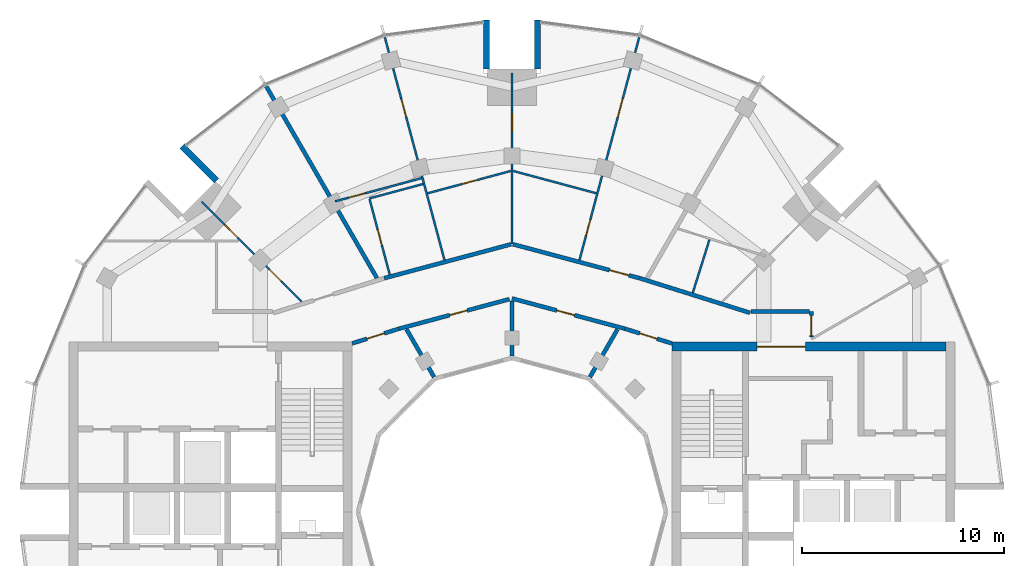
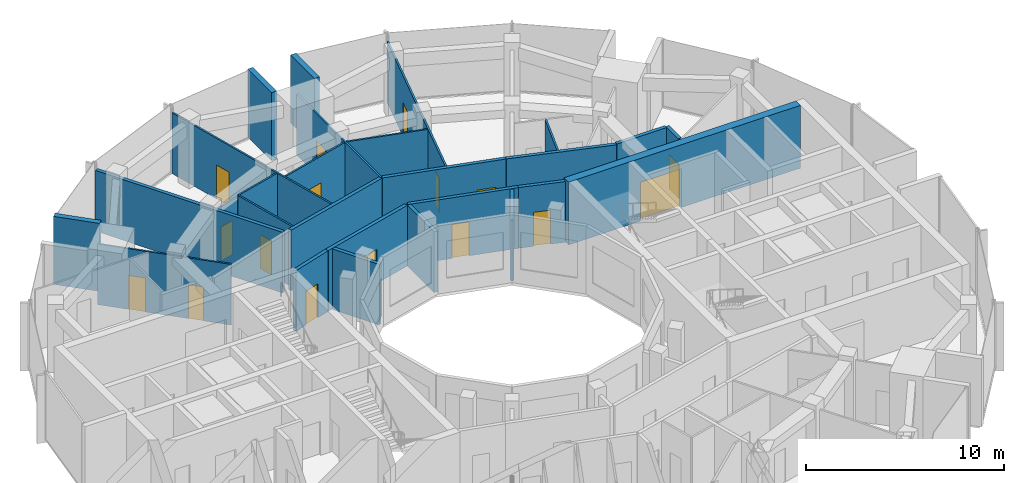
# One storey, part 12 of 15: 27 walls, 16 doors, 16 openings.
"""IFC4 building model written with IfcOpenShell, lengths in metres."""

import ifcopenshell
import ifcopenshell.guid

model = None  # the IFC model being written
_history = None  # IfcOwnerHistory: only IFC2X3 demands one
_inside = {}  # id of a spatial element -> (the spatial element, [elements in it])
_under = {}  # id of a project, library or spatial element -> (it, [spatial elements below it])
_declared = {}  # id of a project -> (the project, [libraries it declares])
_typed = {}  # id of a type object -> (the type object, [elements of that type])
_made_of = {}  # id of a material, layer set ... -> (it, [elements and type objects made of it])


def new_model(schema):
    """Start an empty IFC model of exactly this schema.

    Asked for "IFC4X3", IfcOpenShell would pick the latest addendum, in which some entities
    have other attributes; the version numbers below select the first issue.
    IFC2X3 requires an IfcOwnerHistory on every rooted entity: one is made here for all.
    """
    global model, _history
    if schema == "IFC4X3":
        model = ifcopenshell.file(schema_version=(4, 3, 0, 0))
    else:
        model = ifcopenshell.file(schema=schema)
    _inside.clear()
    _under.clear()
    _declared.clear()
    _typed.clear()
    _made_of.clear()
    _history = None
    if model.schema == "IFC2X3":
        org = make("IfcOrganization", Name="unknown")
        user = make(
            "IfcPersonAndOrganization",
            ThePerson=make("IfcPerson", FamilyName="unknown"),
            TheOrganization=org,
        )
        app = make(
            "IfcApplication",
            ApplicationDeveloper=org,
            Version="unknown",
            ApplicationFullName="unknown",
            ApplicationIdentifier="unknown",
        )
        _history = make(
            "IfcOwnerHistory",
            OwningUser=user,
            OwningApplication=app,
            ChangeAction="ADDED",
            CreationDate=0,
        )
    return model


def make(cls, **values):
    """One entity of the class cls with the attributes given. An attribute that is None is left unset."""
    return model.create_entity(
        cls, **{name: value for name, value in values.items() if value is not None}
    )


def rooted(cls, **values):
    """An entity with a GlobalId (a new one), such as an element, a storey or a relation."""
    return make(cls, GlobalId=ifcopenshell.guid.new(), OwnerHistory=_history, **values)


def si_unit(unit_type, name, prefix=None):
    """IfcSIUnit, for example si_unit("LENGTHUNIT", "METRE", prefix="MILLI")."""
    return make("IfcSIUnit", UnitType=unit_type, Prefix=prefix, Name=name)


def assignment(units):
    """IfcUnitAssignment: the units of a project."""
    return None if units is None else make("IfcUnitAssignment", Units=units)


def point(xyz):
    """IfcCartesianPoint."""
    return None if xyz is None else make("IfcCartesianPoint", Coordinates=xyz)


def direction(xyz):
    """IfcDirection."""
    return None if xyz is None else make("IfcDirection", DirectionRatios=xyz)


def frame(location, z_axis=None, x_axis=None):
    """IfcAxis2Placement3D, a coordinate frame: its origin and axes. An axis left out is left unset."""
    return make(
        "IfcAxis2Placement3D",
        Location=point(location),
        Axis=direction(z_axis),
        RefDirection=direction(x_axis),
    )


def frame_2d(location, x_axis=None):
    """IfcAxis2Placement2D, a coordinate frame in the plane: its origin and x axis."""
    return make(
        "IfcAxis2Placement2D", Location=point(location), RefDirection=direction(x_axis)
    )


def origin():
    """The frame at (0, 0, 0) with its axes left unset."""
    return frame((0.0, 0.0, 0.0))


def place(relative_to, where):
    """IfcLocalPlacement: puts the frame where relative to a parent placement (None: the world)."""
    return make(
        "IfcLocalPlacement", PlacementRelTo=relative_to, RelativePlacement=where
    )


def context(
    kind, dimensions, precision=None, world=None, true_north=None, identifier=None
):
    """IfcGeometricRepresentationContext, for example the 3D "Model" context."""
    return make(
        "IfcGeometricRepresentationContext",
        ContextIdentifier=identifier,
        ContextType=kind,
        CoordinateSpaceDimension=dimensions,
        Precision=precision,
        WorldCoordinateSystem=world,
        TrueNorth=true_north,
    )


def subcontext(parent, identifier, kind, view, scale=None):
    """IfcGeometricRepresentationSubContext, for example "Body" below "Model"."""
    return make(
        "IfcGeometricRepresentationSubContext",
        ContextIdentifier=identifier,
        ContextType=kind,
        ParentContext=parent,
        TargetScale=scale,
        TargetView=view,
    )


def project(units=None, contexts=None):
    """IfcProject with its units and contexts."""
    return rooted(
        "IfcProject",
        Name="project",
        RepresentationContexts=contexts,
        UnitsInContext=assignment(units),
    )


def spatial(cls, under=None, at=None, **own):
    """A site, building, storey or space (cls), placed at a placement, below another one or the project."""
    s = rooted(cls, ObjectPlacement=at, **own)
    if under is not None:
        _under.setdefault(under.id(), (under, []))[1].append(s)
    return s


def profile(cls, at=None, kind="AREA", **sizes):
    """A parametric profile (cls). Its sizes go by their IFC names, for example OverallWidth=200.0."""
    return make(cls, ProfileType=kind, Position=at, **sizes)


def rectangle(**sizes):
    """IfcRectangleProfileDef."""
    return profile("IfcRectangleProfileDef", **sizes)


def extrude(swept, where, along, depth):
    """IfcExtrudedAreaSolid: the profile swept, set in the frame where, extruded along a direction by depth."""
    return make(
        "IfcExtrudedAreaSolid",
        SweptArea=swept,
        Position=where,
        ExtrudedDirection=direction(along),
        Depth=depth,
    )


def shape(context_of_items, identifier, shape_type, items):
    """IfcShapeRepresentation: the items that make up one representation, for example the "Body"."""
    return make(
        "IfcShapeRepresentation",
        ContextOfItems=context_of_items,
        RepresentationIdentifier=identifier,
        RepresentationType=shape_type,
        Items=items,
    )


def material(Name=None, Category=None):
    """IfcMaterial."""
    return make("IfcMaterial", Name=Name, Category=Category)


def layer(
    of_material, thickness, ventilated=None, Name=None, Category=None, Priority=None
):
    """IfcMaterialLayer: one layer of a wall or slab, of a material (None: an air gap)."""
    return make(
        "IfcMaterialLayer",
        Material=of_material,
        LayerThickness=thickness,
        IsVentilated=ventilated,
        Name=Name,
        Category=Category,
        Priority=Priority,
    )


def layer_set(layers, Name=None):
    """IfcMaterialLayerSet."""
    return make("IfcMaterialLayerSet", MaterialLayers=layers, LayerSetName=Name)


def made_of(thing, what):
    """Note that an element or type object is made of a material, layer set ...; save() writes the relation."""
    if what is not None:
        _made_of.setdefault(what.id(), (what, []))[1].append(thing)
    return thing


def type_object(cls, material=None, **own):
    """A type object (cls), such as IfcWallType, which elements share."""
    return made_of(rooted(cls, **own), material)


def element(
    cls,
    number,
    at=None,
    inside=None,
    cuts=None,
    type_object=None,
    material=None,
    context=None,
    identifier="Body",
    shape_type=None,
    held_by="IfcProductDefinitionShape",
    body=None,
    shapes=None,
    **own,
):
    """One element of the class cls, such as IfcWall. Its Tag is "e" and its number.

    at: its placement. inside: the storey or other place that contains it. cuts: it is an
    opening in that element (IfcRelVoidsElement). A single representation is given by context,
    identifier, shape_type and body (its items); several are given by shapes. held_by: the class
    of the entity that holds the representations. save() writes the other relations.
    """
    e = rooted(cls, Tag="e%d" % number, ObjectPlacement=at, **own)
    if body is not None:
        shapes = [shape(context, identifier, shape_type, body)]
    if shapes is not None:
        e.Representation = make(held_by, Representations=shapes)
    if inside is not None:
        _inside.setdefault(inside.id(), (inside, []))[1].append(e)
    if cuts is not None:
        rooted(
            "IfcRelVoidsElement", RelatingBuildingElement=cuts, RelatedOpeningElement=e
        )
    if type_object is not None:
        _typed.setdefault(type_object.id(), (type_object, []))[1].append(e)
    return made_of(e, material)


def fill(opening, filler):
    """IfcRelFillsElement: the door or window that sits in an opening."""
    return rooted(
        "IfcRelFillsElement",
        RelatingOpeningElement=opening,
        RelatedBuildingElement=filler,
    )


def aggregate(whole, parts):
    """IfcRelAggregates: a whole, such as a stair, and the parts it consists of."""
    return rooted("IfcRelAggregates", RelatingObject=whole, RelatedObjects=parts)


def save(model, path):
    """Write the relations noted so far, then the file.

    IfcRelAggregates (storeys below a building ...), IfcRelContainedInSpatialStructure (elements
    in a storey), IfcRelDefinesByType, IfcRelAssociatesMaterial and IfcRelDeclares: one each for
    every whole, place, type object, material and project.
    """
    for whole, parts in _under.values():
        aggregate(whole, parts)
    for where, things in _inside.values():
        rooted(
            "IfcRelContainedInSpatialStructure",
            RelatedElements=things,
            RelatingStructure=where,
        )
    for kind, things in _typed.values():
        rooted("IfcRelDefinesByType", RelatedObjects=things, RelatingType=kind)
    for what, things in _made_of.values():
        rooted("IfcRelAssociatesMaterial", RelatedObjects=things, RelatingMaterial=what)
    for by, libraries in _declared.values():
        rooted("IfcRelDeclares", RelatingContext=by, RelatedDefinitions=libraries)
    model.write(path)


model = new_model("IFC4")

# Units and contexts
model_context = context("Model", 3, precision=1e-05, world=origin(), true_north=direction((0.0, 1.0)))
body_context = subcontext(model_context, "Body", "Model", "MODEL_VIEW")
ifc_project = project(units=[si_unit("LENGTHUNIT", "METRE"), si_unit("AREAUNIT", "SQUARE_METRE"), si_unit("VOLUMEUNIT", "CUBIC_METRE"), si_unit("PLANEANGLEUNIT", "RADIAN"), si_unit("MASSUNIT", "GRAM", prefix="KILO")], contexts=[model_context])

# Site, building, storey
site_placement = place(None, origin())
site = spatial("IfcSite", under=ifc_project, at=site_placement, CompositionType="ELEMENT")
building_placement = place(site_placement, origin())
building = spatial("IfcBuilding", under=site, at=building_placement, Name="Torre Brocal", CompositionType="ELEMENT")
storey_placement = place(building_placement, frame((0.0, 0.0, 279.89990234375)))
storey = spatial("IfcBuildingStorey", under=building, at=storey_placement, Name="L64", CompositionType="ELEMENT", Elevation=279.89990234375)

# Wall, opening, door
ifc_material_1 = material(Name="Concrete C50", Category="concrete")
ifc_layer_1 = layer(ifc_material_1, 0.449951171875)
ifc_layer_set_1 = layer_set([ifc_layer_1], Name="Concrete C50")
wall_type_1 = type_object("IfcWallType", Name="CORE WALL 450 C50", PredefinedType="SHEAR", material=ifc_layer_set_1)
wall_1_placement = place(storey_placement, frame((87.89990234375, 83.175048828125, 0.0), z_axis=(0.0, 0.0, 1.0), x_axis=(1.0, 0.0, 0.0)))
wall_1 = element("IfcWall", 1, at=wall_1_placement, inside=storey, type_object=wall_type_1, Name="Wall CW450-50", PredefinedType="SHEAR", context=body_context, shape_type="SweptSolid", body=[
    extrude(rectangle(XDim=13.550048828125, YDim=0.449951171875, at=frame_2d((6.77490234375, 0.0))), origin(), (0.0, 0.0, 1.0), 3.880126953125),
])
opening_1_placement = place(wall_1_placement, frame((4.199951171875, 0.0, 0.0)))
opening_1 = element("IfcOpeningElement", 2, at=opening_1_placement, cuts=wall_1, Name="Opening E-D32", PredefinedType="OPENING", context=body_context, shape_type="SweptSolid", body=[
    extrude(rectangle(XDim=2.39990234375, YDim=2.39990234375, at=frame_2d((1.199951171875, 1.199951171875))), frame((0.0, 0.23486328125, 0.0), z_axis=(0.0, -1.0, 0.0), x_axis=(1.0, 0.0, 0.0)), (0.0, 0.0, 1.0), 0.469970703125),
])
ifc_material_2 = material(Name="Steel A653", Category="steel")
door_type_1 = type_object("IfcDoorType", Name="DOUBLE FIRE DOOR FD90 2400X2400", OperationType="DOUBLE_DOOR_SINGLE_SWING", PredefinedType="DOOR", material=ifc_material_2)
door_1_placement = place(opening_1_placement, frame((2.39990234375, 0.0, 0.0), z_axis=(0.0, 0.0, 1.0), x_axis=(-1.0, 0.0, 0.0)))
door_1 = element("IfcDoor", 3, at=door_1_placement, inside=storey, type_object=door_type_1, Name="Door E-D32", OperationType="DOUBLE_DOOR_SINGLE_SWING", OverallHeight=2.39990234375, OverallWidth=2.39990234375, PredefinedType="DOOR", context=body_context, shape_type="SweptSolid", body=[
    extrude(rectangle(XDim=2.39990234375, YDim=2.39990234375, at=frame_2d((1.199951171875, 1.199951171875))), frame((0.0, 0.02490234375, 0.0), z_axis=(0.0, -1.0, 0.0), x_axis=(1.0, 0.0, 0.0)), (0.0, 0.0, 1.0), 0.050048828125),
])
fill(opening_1, door_1)

# Walls
ifc_material_3 = material(Name="Concrete C50", Category="concrete")
ifc_layer_2 = layer(ifc_material_3, 0.300048828125)
ifc_layer_set_2 = layer_set([ifc_layer_2], Name="Concrete C50")
wall_type_2 = type_object("IfcWallType", Name="NOTCH RETURN WALL 300 C50", PredefinedType="NOTDEFINED", material=ifc_layer_set_2)
for number, where, z_axis, x_axis, name in (
    (4, (81.25, 96.89990234375, 0.0), (0.0, 0.0, 1.0), (0.0, 1.0, 0.0), "NOTCH RETURN WALL"),
    (5, (78.75, 96.89990234375, 0.0), (0.0, 0.0, 1.0), (0.0, 1.0, 0.0), "NOTCH RETURN WALL"),
):
    element("IfcWall", number, at=place(storey_placement, frame(where, z_axis=z_axis, x_axis=x_axis)), inside=storey, type_object=wall_type_2, Name=name, PredefinedType="NOTDEFINED", context=body_context, shape_type="SweptSolid", body=[
        extrude(rectangle(XDim=2.415771484375, YDim=0.300048828125, at=frame_2d((1.2080078125, 0.0))), origin(), (0.0, 0.0, 1.0), 4.2001953125),
    ])
wall_2_placement = place(storey_placement, frame((65.398193359375, 91.36962890625, 0.0), z_axis=(0.0, 0.0, 1.0), x_axis=(-0.707106781187, 0.707106781187, 0.0)))
element("IfcWall", 6, at=wall_2_placement, inside=storey, type_object=wall_type_2, Name="NOTCH RETURN WALL", PredefinedType="NOTDEFINED", context=body_context, shape_type="SweptSolid", body=[
    extrude(rectangle(XDim=2.41552734375, YDim=0.300048828125, at=frame_2d((1.207763671875, 0.0))), origin(), (0.0, 0.0, 1.0), 4.2001953125),
])

# Wall, openings, doors
ifc_material_4 = material(Name="Gypsum board", Category="Gypsum")
ifc_layer_3 = layer(ifc_material_4, 0.10009765625)
ifc_layer_set_3 = layer_set([ifc_layer_3], Name="Gypsum board")
wall_type_3 = type_object("IfcWallType", Name="PARTITION 100", PredefinedType="PARTITIONING", material=ifc_layer_set_3)
wall_3_placement = place(storey_placement, frame((64.655517578125, 90.344482421875, 0.0), z_axis=(0.0, 0.0, 1.0), x_axis=(0.707106781187, -0.707106781187, 0.0)))
wall_3 = element("IfcWall", 7, at=wall_3_placement, inside=storey, type_object=wall_type_3, Name="BATHROOM WALL", PredefinedType="PARTITIONING", context=body_context, shape_type="SweptSolid", body=[
    extrude(rectangle(XDim=6.99951171875, YDim=0.10009765625, at=frame_2d((3.499755859375, 0.0))), origin(), (0.0, 0.0, 1.0), 3.75),
])
opening_2_placement = place(wall_3_placement, frame((1.619384765625, 0.0, 0.0)))
opening_2 = element("IfcOpeningElement", 8, at=opening_2_placement, cuts=wall_3, Name="Opening N01-D15", PredefinedType="OPENING", context=body_context, shape_type="SweptSolid", body=[
    extrude(rectangle(XDim=0.89990234375, YDim=2.10009765625, at=frame_2d((0.449951171875, 1.050048828125))), frame((0.0, 0.06005859375, 0.0), z_axis=(0.0, -1.0, 0.0), x_axis=(1.0, 0.0, 0.0)), (0.0, 0.0, 1.0), 0.1201171875),
])
opening_3_placement = place(wall_3_placement, frame((4.75537109375, 0.0, 0.0)))
opening_3 = element("IfcOpeningElement", 9, at=opening_3_placement, cuts=wall_3, Name="Opening N01-D17", PredefinedType="OPENING", context=body_context, shape_type="SweptSolid", body=[
    extrude(rectangle(XDim=0.800048828125, YDim=2.10009765625, at=frame_2d((0.39990234375, 1.050048828125))), frame((0.0, 0.06005859375, 0.0), z_axis=(0.0, -1.0, 0.0), x_axis=(1.0, 0.0, 0.0)), (0.0, 0.0, 1.0), 0.1201171875),
])
ifc_material_5 = material(Name="Timber", Category="wood")
door_type_2 = type_object("IfcDoorType", Name="BATHROOM DOOR 800X2100", OperationType="SINGLE_SWING_LEFT", PredefinedType="DOOR", material=ifc_material_5)
door_2_placement = place(opening_3_placement, frame((0.800048828125, 0.0, 0.0), z_axis=(0.0, 0.0, 1.0), x_axis=(-1.0, 0.0, 0.0)))
door_2 = element("IfcDoor", 10, at=door_2_placement, inside=storey, type_object=door_type_2, Name="N01-D17", OperationType="SINGLE_SWING_LEFT", OverallHeight=2.10009765625, OverallWidth=0.800048828125, PredefinedType="DOOR", context=body_context, shape_type="SweptSolid", body=[
    extrude(rectangle(XDim=0.800048828125, YDim=2.10009765625, at=frame_2d((0.39990234375, 1.050048828125))), frame((0.0, 0.02490234375, 0.0), z_axis=(0.0, -1.0, 0.0), x_axis=(1.0, 0.0, 0.0)), (0.0, 0.0, 1.0), 0.050048828125),
])
fill(opening_3, door_2)
ifc_material_6 = material(Name="Timber", Category="wood")
door_type_3 = type_object("IfcDoorType", Name="ROOM DOOR 900X2100", OperationType="SINGLE_SWING_LEFT", PredefinedType="DOOR", material=ifc_material_6)
door_3_placement = place(opening_2_placement, frame((0.89990234375, 0.0, 0.0), z_axis=(0.0, 0.0, 1.0), x_axis=(-1.0, 0.0, 0.0)))
door_3 = element("IfcDoor", 11, at=door_3_placement, inside=storey, type_object=door_type_3, Name="N01-D15", OperationType="SINGLE_SWING_RIGHT", OverallHeight=2.10009765625, OverallWidth=0.89990234375, PredefinedType="DOOR", context=body_context, shape_type="SweptSolid", body=[
    extrude(rectangle(XDim=0.89990234375, YDim=2.10009765625, at=frame_2d((0.449951171875, 1.050048828125))), frame((0.0, 0.02490234375, 0.0), z_axis=(0.0, -1.0, 0.0), x_axis=(1.0, 0.0, 0.0)), (0.0, 0.0, 1.0), 0.050048828125),
])
fill(opening_2, door_3)

# Wall, opening, door
wall_4_placement = place(storey_placement, frame((72.962890625, 90.44873046875, 0.0), z_axis=(0.0, 0.0, 1.0), x_axis=(0.25854689918, -0.965998706482, 0.0)))
wall_4 = element("IfcWall", 12, at=wall_4_placement, inside=storey, type_object=wall_type_3, Name="BATHROOM WALL", PredefinedType="PARTITIONING", context=body_context, shape_type="SweptSolid", body=[
    extrude(rectangle(XDim=3.848876953125, YDim=0.10009765625, at=frame_2d((1.92431640625, 0.0))), origin(), (0.0, 0.0, 1.0), 3.75),
])
opening_4_placement = place(wall_4_placement, frame((1.549560546875, 0.0, 0.0)))
opening_4 = element("IfcOpeningElement", 13, at=opening_4_placement, cuts=wall_4, Name="Opening N01-D12", PredefinedType="OPENING", context=body_context, shape_type="SweptSolid", body=[
    extrude(rectangle(XDim=0.800048828125, YDim=2.10009765625, at=frame_2d((0.39990234375, 1.050048828125))), frame((0.0, 0.06005859375, 0.0), z_axis=(0.0, -1.0, 0.0), x_axis=(1.0, 0.0, 0.0)), (0.0, 0.0, 1.0), 0.1201171875),
])
door_4_placement = place(opening_4_placement, origin())
door_4 = element("IfcDoor", 14, at=door_4_placement, inside=storey, type_object=door_type_2, Name="N01-D12", OperationType="SINGLE_SWING_RIGHT", OverallHeight=2.10009765625, OverallWidth=0.800048828125, PredefinedType="DOOR", context=body_context, shape_type="SweptSolid", body=[
    extrude(rectangle(XDim=0.800048828125, YDim=2.10009765625, at=frame_2d((0.39990234375, 1.050048828125))), frame((0.0, 0.02490234375, 0.0), z_axis=(0.0, -1.0, 0.0), x_axis=(1.0, 0.0, 0.0)), (0.0, 0.0, 1.0), 0.050048828125),
])
fill(opening_4, door_4)

# Wall
wall_5_placement = place(storey_placement, frame((72.949951171875, 90.4970703125, 0.0), z_axis=(0.0, 0.0, 1.0), x_axis=(0.96588619323, 0.258966912418, 0.0)))
element("IfcWall", 15, at=wall_5_placement, inside=storey, type_object=wall_type_3, Name="BATHROOM WALL", PredefinedType="PARTITIONING", context=body_context, shape_type="SweptSolid", body=[
    extrude(rectangle(XDim=2.7490234375, YDim=0.10009765625, at=frame_2d((1.37451171875, 0.0))), origin(), (0.0, 0.0, 1.0), 3.75),
])

# Wall, opening, door
wall_6_placement = place(storey_placement, frame((73.7119140625, 98.470458984375, 0.0), z_axis=(0.0, 0.0, 1.0), x_axis=(0.258727167471, -0.965950440143, 0.0)))
wall_6 = element("IfcWall", 16, at=wall_6_placement, inside=storey, type_object=wall_type_3, Name="BATHROOM WALL", PredefinedType="PARTITIONING", context=body_context, shape_type="SweptSolid", body=[
    extrude(rectangle(XDim=11.403564453125, YDim=0.10009765625, at=frame_2d((5.70166015625, 0.0))), origin(), (0.0, 0.0, 1.0), 3.75),
])
opening_5_placement = place(wall_6_placement, frame((3.187255859375, 0.0, 0.0)))
opening_5 = element("IfcOpeningElement", 17, at=opening_5_placement, cuts=wall_6, Name="Opening N01-D11", PredefinedType="OPENING", context=body_context, shape_type="SweptSolid", body=[
    extrude(rectangle(XDim=0.89990234375, YDim=2.10009765625, at=frame_2d((0.449951171875, 1.050048828125))), frame((0.0, 0.06005859375, 0.0), z_axis=(0.0, -1.0, 0.0), x_axis=(1.0, 0.0, 0.0)), (0.0, 0.0, 1.0), 0.1201171875),
])
door_5_placement = place(opening_5_placement, origin())
door_5 = element("IfcDoor", 18, at=door_5_placement, inside=storey, type_object=door_type_3, Name="N01-D11", OperationType="SINGLE_SWING_LEFT", OverallHeight=2.10009765625, OverallWidth=0.89990234375, PredefinedType="DOOR", context=body_context, shape_type="SweptSolid", body=[
    extrude(rectangle(XDim=0.89990234375, YDim=2.10009765625, at=frame_2d((0.449951171875, 1.050048828125))), frame((0.0, 0.02490234375, 0.0), z_axis=(0.0, -1.0, 0.0), x_axis=(1.0, 0.0, 0.0)), (0.0, 0.0, 1.0), 0.050048828125),
])
fill(opening_5, door_5)

wall_7_placement = place(storey_placement, frame((75.83154296875, 90.751953125, 0.0), z_axis=(0.0, 0.0, 1.0), x_axis=(0.965856843682, 0.259076354601, 0.0)))
wall_7 = element("IfcWall", 19, at=wall_7_placement, inside=storey, type_object=wall_type_3, Name="BATHROOM WALL", PredefinedType="PARTITIONING", context=body_context, shape_type="SweptSolid", body=[
    extrude(rectangle(XDim=4.255615234375, YDim=0.10009765625, at=frame_2d((2.1279296875, 0.0))), origin(), (0.0, 0.0, 1.0), 3.75),
])
opening_6_placement = place(wall_7_placement, frame((1.732666015625, 0.0, 0.0)))
opening_6 = element("IfcOpeningElement", 20, at=opening_6_placement, cuts=wall_7, Name="Opening N01-D10", PredefinedType="OPENING", context=body_context, shape_type="SweptSolid", body=[
    extrude(rectangle(XDim=0.800048828125, YDim=2.10009765625, at=frame_2d((0.39990234375, 1.050048828125))), frame((0.0, 0.06005859375, 0.0), z_axis=(0.0, -1.0, 0.0), x_axis=(1.0, 0.0, 0.0)), (0.0, 0.0, 1.0), 0.1201171875),
])
door_6_placement = place(opening_6_placement, frame((0.800048828125, 0.0, 0.0), z_axis=(0.0, 0.0, 1.0), x_axis=(-1.0, 0.0, 0.0)))
door_6 = element("IfcDoor", 21, at=door_6_placement, inside=storey, type_object=door_type_2, Name="N01-D10", OperationType="SINGLE_SWING_LEFT", OverallHeight=2.10009765625, OverallWidth=0.800048828125, PredefinedType="DOOR", context=body_context, shape_type="SweptSolid", body=[
    extrude(rectangle(XDim=0.800048828125, YDim=2.10009765625, at=frame_2d((0.39990234375, 1.050048828125))), frame((0.0, 0.02490234375, 0.0), z_axis=(0.0, -1.0, 0.0), x_axis=(1.0, 0.0, 0.0)), (0.0, 0.0, 1.0), 0.050048828125),
])
fill(opening_6, door_6)

wall_8_placement = place(storey_placement, frame((80.0, 88.24609375, 0.0), z_axis=(0.0, 0.0, 1.0), x_axis=(0.0, 1.0, 0.0)))
wall_8 = element("IfcWall", 22, at=wall_8_placement, inside=storey, type_object=wall_type_3, Name="BATHROOM WALL", PredefinedType="PARTITIONING", context=body_context, shape_type="SweptSolid", body=[
    extrude(rectangle(XDim=8.453857421875, YDim=0.10009765625, at=frame_2d((4.22705078125, 0.0))), origin(), (0.0, 0.0, 1.0), 3.75),
])
opening_7_placement = place(wall_8_placement, frame((5.56396484375, 0.0, 0.0)))
opening_7 = element("IfcOpeningElement", 23, at=opening_7_placement, cuts=wall_8, Name="Opening N01-D09", PredefinedType="OPENING", context=body_context, shape_type="SweptSolid", body=[
    extrude(rectangle(XDim=0.89990234375, YDim=2.10009765625, at=frame_2d((0.449951171875, 1.050048828125))), frame((0.0, 0.06005859375, 0.0), z_axis=(0.0, -1.0, 0.0), x_axis=(1.0, 0.0, 0.0)), (0.0, 0.0, 1.0), 0.1201171875),
])
door_7_placement = place(opening_7_placement, origin())
door_7 = element("IfcDoor", 24, at=door_7_placement, inside=storey, type_object=door_type_3, Name="N01-D09", OperationType="SINGLE_SWING_RIGHT", OverallHeight=2.10009765625, OverallWidth=0.89990234375, PredefinedType="DOOR", context=body_context, shape_type="SweptSolid", body=[
    extrude(rectangle(XDim=0.89990234375, YDim=2.10009765625, at=frame_2d((0.449951171875, 1.050048828125))), frame((0.0, 0.02490234375, 0.0), z_axis=(0.0, -1.0, 0.0), x_axis=(1.0, 0.0, 0.0)), (0.0, 0.0, 1.0), 0.050048828125),
])
fill(opening_7, door_7)

# Wall
wall_9_placement = place(storey_placement, frame((80.05810546875, 91.8544921875, 0.0), z_axis=(0.0, 0.0, 1.0), x_axis=(0.96586069397, -0.259061999998, 0.0)))
element("IfcWall", 25, at=wall_9_placement, inside=storey, type_object=wall_type_3, Name="BATHROOM WALL", PredefinedType="PARTITIONING", context=body_context, shape_type="SweptSolid", body=[
    extrude(rectangle(XDim=4.255859375, YDim=0.10009765625, at=frame_2d((2.1279296875, 0.0))), origin(), (0.0, 0.0, 1.0), 3.75),
])

# Wall, openings, doors
wall_10_placement = place(storey_placement, frame((83.3369140625, 87.455078125, 0.0), z_axis=(0.0, 0.0, 1.0), x_axis=(0.25887234328, 0.965911543509, 0.0)))
wall_10 = element("IfcWall", 26, at=wall_10_placement, inside=storey, type_object=wall_type_3, Name="BATHROOM WALL", PredefinedType="PARTITIONING", context=body_context, shape_type="SweptSolid", body=[
    extrude(rectangle(XDim=11.40380859375, YDim=0.10009765625, at=frame_2d((5.701904296875, 0.0))), origin(), (0.0, 0.0, 1.0), 3.75),
])
opening_8_placement = place(wall_10_placement, frame((7.326416015625, 0.0, 0.0)))
opening_8 = element("IfcOpeningElement", 27, at=opening_8_placement, cuts=wall_10, Name="Opening N01-D07", PredefinedType="OPENING", context=body_context, shape_type="SweptSolid", body=[
    extrude(rectangle(XDim=0.89990234375, YDim=2.10009765625, at=frame_2d((0.449951171875, 1.050048828125))), frame((0.0, 0.06005859375, 0.0), z_axis=(0.0, -1.0, 0.0), x_axis=(1.0, 0.0, 0.0)), (0.0, 0.0, 1.0), 0.1201171875),
])
opening_9_placement = place(wall_10_placement, frame((1.259521484375, 0.0, 0.0)))
opening_9 = element("IfcOpeningElement", 28, at=opening_9_placement, cuts=wall_10, Name="Opening N01-D08", PredefinedType="OPENING", context=body_context, shape_type="SweptSolid", body=[
    extrude(rectangle(XDim=0.800048828125, YDim=2.10009765625, at=frame_2d((0.39990234375, 1.050048828125))), frame((0.0, 0.06005859375, 0.0), z_axis=(0.0, -1.0, 0.0), x_axis=(1.0, 0.0, 0.0)), (0.0, 0.0, 1.0), 0.1201171875),
])
door_8_placement = place(opening_9_placement, origin())
door_8 = element("IfcDoor", 29, at=door_8_placement, inside=storey, type_object=door_type_2, Name="N01-D08", OperationType="SINGLE_SWING_LEFT", OverallHeight=2.10009765625, OverallWidth=0.800048828125, PredefinedType="DOOR", context=body_context, shape_type="SweptSolid", body=[
    extrude(rectangle(XDim=0.800048828125, YDim=2.10009765625, at=frame_2d((0.39990234375, 1.050048828125))), frame((0.0, 0.02490234375, 0.0), z_axis=(0.0, -1.0, 0.0), x_axis=(1.0, 0.0, 0.0)), (0.0, 0.0, 1.0), 0.050048828125),
])
fill(opening_9, door_8)
door_9_placement = place(opening_8_placement, origin())
door_9 = element("IfcDoor", 30, at=door_9_placement, inside=storey, type_object=door_type_3, Name="N01-D07", OperationType="SINGLE_SWING_RIGHT", OverallHeight=2.10009765625, OverallWidth=0.89990234375, PredefinedType="DOOR", context=body_context, shape_type="SweptSolid", body=[
    extrude(rectangle(XDim=0.89990234375, YDim=2.10009765625, at=frame_2d((0.449951171875, 1.050048828125))), frame((0.0, 0.02490234375, 0.0), z_axis=(0.0, -1.0, 0.0), x_axis=(1.0, 0.0, 0.0)), (0.0, 0.0, 1.0), 0.050048828125),
])
fill(opening_8, door_9)

# Wall
wall_11_placement = place(storey_placement, frame((88.935791015625, 85.83642578125, 0.0), z_axis=(0.0, 0.0, 1.0), x_axis=(0.299371771011, 0.954136543018, 0.0)))
element("IfcWall", 31, at=wall_11_placement, inside=storey, type_object=wall_type_3, Name="BATHROOM WALL", PredefinedType="PARTITIONING", context=body_context, shape_type="SweptSolid", body=[
    extrude(rectangle(XDim=2.75, YDim=0.10009765625, at=frame_2d((1.375, 0.0))), origin(), (0.0, 0.0, 1.0), 3.75),
])

# Wall, opening, door
ifc_material_7 = material(Name="Gypsum board", Category="Gypsum")
ifc_layer_4 = layer(ifc_material_7, 0.10009765625)
ifc_layer_set_4 = layer_set([ifc_layer_4], Name="Gypsum board")
wall_type_4 = type_object("IfcWallType", Name="PARTITION 100 UNDER BEAM 820", PredefinedType="PARTITIONING", material=ifc_layer_set_4)
wall_12_placement = place(storey_placement, frame((71.2578125, 90.3544921875, 0.0), z_axis=(0.0, 0.0, 1.0), x_axis=(0.965955692548, 0.258707556973, 0.0)))
wall_12 = element("IfcWall", 32, at=wall_12_placement, inside=storey, type_object=wall_type_4, Name="BATHROOM WALL", PredefinedType="PARTITIONING", context=body_context, shape_type="SweptSolid", body=[
    extrude(rectangle(XDim=4.420166015625, YDim=0.10009765625, at=frame_2d((2.2099609375, 0.0))), origin(), (0.0, 0.0, 1.0), 3.380126953125),
])
opening_10_placement = place(wall_12_placement, frame((0.72998046875, 0.0, 0.0)))
opening_10 = element("IfcOpeningElement", 33, at=opening_10_placement, cuts=wall_12, Name="Opening N01-D13", PredefinedType="OPENING", context=body_context, shape_type="SweptSolid", body=[
    extrude(rectangle(XDim=0.800048828125, YDim=2.10009765625, at=frame_2d((0.39990234375, 1.050048828125))), frame((0.0, 0.06005859375, 0.0), z_axis=(0.0, -1.0, 0.0), x_axis=(1.0, 0.0, 0.0)), (0.0, 0.0, 1.0), 0.1201171875),
])
door_10_placement = place(opening_10_placement, origin())
door_10 = element("IfcDoor", 34, at=door_10_placement, inside=storey, type_object=door_type_2, Name="N01-D13", OperationType="SINGLE_SWING_LEFT", OverallHeight=2.10009765625, OverallWidth=0.800048828125, PredefinedType="DOOR", context=body_context, shape_type="SweptSolid", body=[
    extrude(rectangle(XDim=0.800048828125, YDim=2.10009765625, at=frame_2d((0.39990234375, 1.050048828125))), frame((0.0, 0.02490234375, 0.0), z_axis=(0.0, -1.0, 0.0), x_axis=(1.0, 0.0, 0.0)), (0.0, 0.0, 1.0), 0.050048828125),
])
fill(opening_10, door_10)

# Wall
ifc_material_8 = material(Name="Gypsum board", Category="Gypsum")
ifc_layer_5 = layer(ifc_material_8, 0.199951171875)
ifc_layer_set_5 = layer_set([ifc_layer_5], Name="Gypsum board")
wall_type_5 = type_object("IfcWallType", Name="PARTITION 200 EI60", PredefinedType="PARTITIONING", material=ifc_layer_set_5)
wall_13_placement = place(storey_placement, frame((67.8515625, 96.04248046875, 0.0), z_axis=(0.0, 0.0, 1.0), x_axis=(0.499960582802, -0.866048160118, 0.0)))
element("IfcWall", 35, at=wall_13_placement, inside=storey, type_object=wall_type_5, Name="BATHROOM WALL", PredefinedType="PARTITIONING", context=body_context, shape_type="SweptSolid", body=[
    extrude(rectangle(XDim=10.94580078125, YDim=0.199951171875, at=frame_2d((5.472900390625, 0.0))), origin(), (0.0, 0.0, 1.0), 3.75),
])

# Wall, opening, door
wall_14_placement = place(storey_placement, frame((72.10009765625, 83.33203125, 0.0), z_axis=(0.0, 0.0, 1.0), x_axis=(0.954233106619, 0.299063836383, 0.0)))
wall_14 = element("IfcWall", 36, at=wall_14_placement, inside=storey, type_object=wall_type_5, Name="CORRIDOR WALL", PredefinedType="PARTITIONING", context=body_context, shape_type="SweptSolid", body=[
    extrude(rectangle(XDim=2.4140625, YDim=0.199951171875, at=frame_2d((1.20703125, 0.0))), origin(), (0.0, 0.0, 1.0), 3.75),
])
opening_11_placement = place(wall_14_placement, frame((0.761962890625, 0.0, 0.0)))
opening_11 = element("IfcOpeningElement", 37, at=opening_11_placement, cuts=wall_14, Name="Opening N01-D21", PredefinedType="OPENING", context=body_context, shape_type="SweptSolid", body=[
    extrude(rectangle(XDim=0.89990234375, YDim=2.10009765625, at=frame_2d((0.449951171875, 1.050048828125))), frame((0.0, 0.10986328125, 0.0), z_axis=(0.0, -1.0, 0.0), x_axis=(1.0, 0.0, 0.0)), (0.0, 0.0, 1.0), 0.219970703125),
])
door_11_placement = place(opening_11_placement, frame((0.89990234375, 0.0, 0.0), z_axis=(0.0, 0.0, 1.0), x_axis=(-1.0, 0.0, 0.0)))
door_11 = element("IfcDoor", 38, at=door_11_placement, inside=storey, type_object=door_type_3, Name="N01-D21", OperationType="SINGLE_SWING_RIGHT", OverallHeight=2.10009765625, OverallWidth=0.89990234375, PredefinedType="DOOR", context=body_context, shape_type="SweptSolid", body=[
    extrude(rectangle(XDim=0.89990234375, YDim=2.10009765625, at=frame_2d((0.449951171875, 1.050048828125))), frame((0.0, 0.02490234375, 0.0), z_axis=(0.0, -1.0, 0.0), x_axis=(1.0, 0.0, 0.0)), (0.0, 0.0, 1.0), 0.050048828125),
])
fill(opening_11, door_11)

# Wall
wall_15_placement = place(storey_placement, frame((73.68701171875, 86.554443359375, 0.0), z_axis=(0.0, 0.0, 1.0), x_axis=(0.966002126521, 0.258534120682, 0.0)))
element("IfcWall", 39, at=wall_15_placement, inside=storey, type_object=wall_type_5, Name="GUESTROOM CORRIDOR WALL", PredefinedType="PARTITIONING", context=body_context, shape_type="SweptSolid", body=[
    extrude(rectangle(XDim=6.485595703125, YDim=0.199951171875, at=frame_2d((3.24267578125, 0.0))), origin(), (0.0, 0.0, 1.0), 3.75),
])

# Wall, opening, door
wall_16_placement = place(storey_placement, frame((74.4130859375, 84.056884765625, 0.0), z_axis=(0.0, 0.0, 1.0), x_axis=(0.965972135939, 0.258646153246, 0.0)))
wall_16 = element("IfcWall", 40, at=wall_16_placement, inside=storey, type_object=wall_type_5, Name="CORRIDOR WALL", PredefinedType="PARTITIONING", context=body_context, shape_type="SweptSolid", body=[
    extrude(rectangle(XDim=5.654052734375, YDim=0.199951171875, at=frame_2d((2.8271484375, 0.0))), origin(), (0.0, 0.0, 1.0), 3.75),
])
opening_12_placement = place(wall_16_placement, frame((2.5927734375, 0.0, 0.0)))
opening_12 = element("IfcOpeningElement", 41, at=opening_12_placement, cuts=wall_16, Name="Opening N01-D20", PredefinedType="OPENING", context=body_context, shape_type="SweptSolid", body=[
    extrude(rectangle(XDim=0.89990234375, YDim=2.10009765625, at=frame_2d((0.449951171875, 1.050048828125))), frame((0.0, 0.10986328125, 0.0), z_axis=(0.0, -1.0, 0.0), x_axis=(1.0, 0.0, 0.0)), (0.0, 0.0, 1.0), 0.219970703125),
])
door_12_placement = place(opening_12_placement, frame((0.89990234375, 0.0, 0.0), z_axis=(0.0, 0.0, 1.0), x_axis=(-1.0, 0.0, 0.0)))
door_12 = element("IfcDoor", 42, at=door_12_placement, inside=storey, type_object=door_type_3, Name="N01-D20", OperationType="SINGLE_SWING_RIGHT", OverallHeight=2.10009765625, OverallWidth=0.89990234375, PredefinedType="DOOR", context=body_context, shape_type="SweptSolid", body=[
    extrude(rectangle(XDim=0.89990234375, YDim=2.10009765625, at=frame_2d((0.449951171875, 1.050048828125))), frame((0.0, 0.02490234375, 0.0), z_axis=(0.0, -1.0, 0.0), x_axis=(1.0, 0.0, 0.0)), (0.0, 0.0, 1.0), 0.050048828125),
])
fill(opening_12, door_12)

# Walls
wall_17_placement = place(storey_placement, frame((74.78759765625, 84.027099609375, 0.0), z_axis=(0.0, 0.0, 1.0), x_axis=(0.49997314572, -0.866040907555, 0.0)))
element("IfcWall", 43, at=wall_17_placement, inside=storey, type_object=wall_type_5, Name="SERVICE ROOM WALL", PredefinedType="PARTITIONING", context=body_context, shape_type="SweptSolid", body=[
    extrude(rectangle(XDim=2.725830078125, YDim=0.199951171875, at=frame_2d((1.36279296875, 0.0))), origin(), (0.0, 0.0, 1.0), 3.75),
])
wall_18_placement = place(storey_placement, frame((80.0, 82.698974609375, 0.0), z_axis=(0.0, 0.0, 1.0), x_axis=(0.0, 1.0, 0.0)))
element("IfcWall", 44, at=wall_18_placement, inside=storey, type_object=wall_type_5, Name="SERVICE ROOM WALL", PredefinedType="PARTITIONING", context=body_context, shape_type="SweptSolid", body=[
    extrude(rectangle(XDim=2.72509765625, YDim=0.199951171875, at=frame_2d((1.362548828125, 0.0))), origin(), (0.0, 0.0, 1.0), 3.75),
])

# Wall, opening, door
wall_19_placement = place(storey_placement, frame((80.0, 85.553955078125, 0.0), z_axis=(0.0, 0.0, 1.0), x_axis=(0.965928989968, -0.258807237802, 0.0)))
wall_19 = element("IfcWall", 45, at=wall_19_placement, inside=storey, type_object=wall_type_5, Name="CORRIDOR WALL", PredefinedType="PARTITIONING", context=body_context, shape_type="SweptSolid", body=[
    extrude(rectangle(XDim=5.774169921875, YDim=0.199951171875, at=frame_2d((2.88720703125, 0.0))), origin(), (0.0, 0.0, 1.0), 3.75),
])
opening_13_placement = place(wall_19_placement, frame((2.29150390625, 0.0, 0.0)))
opening_13 = element("IfcOpeningElement", 46, at=opening_13_placement, cuts=wall_19, Name="Opening N01-D19", PredefinedType="OPENING", context=body_context, shape_type="SweptSolid", body=[
    extrude(rectangle(XDim=0.89990234375, YDim=2.10009765625, at=frame_2d((0.449951171875, 1.050048828125))), frame((0.0, 0.10986328125, 0.0), z_axis=(0.0, -1.0, 0.0), x_axis=(1.0, 0.0, 0.0)), (0.0, 0.0, 1.0), 0.219970703125),
])
door_13_placement = place(opening_13_placement, frame((0.89990234375, 0.0, 0.0), z_axis=(0.0, 0.0, 1.0), x_axis=(-1.0, 0.0, 0.0)))
door_13 = element("IfcDoor", 47, at=door_13_placement, inside=storey, type_object=door_type_3, Name="N01-D19", OperationType="SINGLE_SWING_LEFT", OverallHeight=2.10009765625, OverallWidth=0.89990234375, PredefinedType="DOOR", context=body_context, shape_type="SweptSolid", body=[
    extrude(rectangle(XDim=0.89990234375, YDim=2.10009765625, at=frame_2d((0.449951171875, 1.050048828125))), frame((0.0, 0.02490234375, 0.0), z_axis=(0.0, -1.0, 0.0), x_axis=(1.0, 0.0, 0.0)), (0.0, 0.0, 1.0), 0.050048828125),
])
fill(opening_13, door_13)

wall_20_placement = place(storey_placement, frame((80.04833984375, 88.233154296875, 0.0), z_axis=(0.0, 0.0, 1.0), x_axis=(0.965865387308, -0.259044501198, 0.0)))
wall_20 = element("IfcWall", 48, at=wall_20_placement, inside=storey, type_object=wall_type_5, Name="FLAT ENTRANCE WALL", PredefinedType="PARTITIONING", context=body_context, shape_type="SweptSolid", body=[
    extrude(rectangle(XDim=6.4755859375, YDim=0.199951171875, at=frame_2d((3.23779296875, 0.0))), origin(), (0.0, 0.0, 1.0), 3.75),
])
opening_14_placement = place(wall_20_placement, frame((4.935791015625, 0.0, 0.0)))
opening_14 = element("IfcOpeningElement", 49, at=opening_14_placement, cuts=wall_20, Name="Opening N01-D06", PredefinedType="OPENING", context=body_context, shape_type="SweptSolid", body=[
    extrude(rectangle(XDim=1.0, YDim=2.10009765625, at=frame_2d((0.5, 1.050048828125))), frame((0.0, 0.10986328125, 0.0), z_axis=(0.0, -1.0, 0.0), x_axis=(1.0, 0.0, 0.0)), (0.0, 0.0, 1.0), 0.219970703125),
])
ifc_material_9 = material(Name="Timber", Category="wood")
door_type_4 = type_object("IfcDoorType", Name="FLAT ENTRY DOOR FD30S 1000X2100", OperationType="SINGLE_SWING_RIGHT", PredefinedType="DOOR", material=ifc_material_9)
door_14_placement = place(opening_14_placement, origin())
door_14 = element("IfcDoor", 50, at=door_14_placement, inside=storey, type_object=door_type_4, Name="N01-D06", OperationType="SINGLE_SWING_RIGHT", OverallHeight=2.10009765625, OverallWidth=1.0, PredefinedType="DOOR", context=body_context, shape_type="SweptSolid", body=[
    extrude(rectangle(XDim=1.0, YDim=2.10009765625, at=frame_2d((0.5, 1.050048828125))), frame((0.0, 0.02490234375, 0.0), z_axis=(0.0, -1.0, 0.0), x_axis=(1.0, 0.0, 0.0)), (0.0, 0.0, 1.0), 0.050048828125),
])
fill(opening_14, door_14)

# Wall
wall_21_placement = place(storey_placement, frame((83.850341796875, 81.666259765625, 0.0), z_axis=(0.0, 0.0, 1.0), x_axis=(0.500146274735, 0.865940935554, 0.0)))
element("IfcWall", 51, at=wall_21_placement, inside=storey, type_object=wall_type_5, Name="SERVICE ROOM WALL", PredefinedType="PARTITIONING", context=body_context, shape_type="SweptSolid", body=[
    extrude(rectangle(XDim=2.725830078125, YDim=0.199951171875, at=frame_2d((1.36279296875, 0.0))), origin(), (0.0, 0.0, 1.0), 3.75),
])

# Wall, opening, door
wall_22_placement = place(storey_placement, frame((85.5869140625, 84.056884765625, 0.0), z_axis=(0.0, 0.0, 1.0), x_axis=(0.954239513179, -0.299043393987, 0.0)))
wall_22 = element("IfcWall", 52, at=wall_22_placement, inside=storey, type_object=wall_type_5, Name="CORRIDOR WALL", PredefinedType="PARTITIONING", context=body_context, shape_type="SweptSolid", body=[
    extrude(rectangle(XDim=2.423828125, YDim=0.199951171875, at=frame_2d((1.2119140625, 0.0))), origin(), (0.0, 0.0, 1.0), 3.75),
])
opening_15_placement = place(wall_22_placement, frame((0.761962890625, 0.0, 0.0)))
opening_15 = element("IfcOpeningElement", 53, at=opening_15_placement, cuts=wall_22, Name="Opening N01-D18", PredefinedType="OPENING", context=body_context, shape_type="SweptSolid", body=[
    extrude(rectangle(XDim=0.89990234375, YDim=2.10009765625, at=frame_2d((0.449951171875, 1.050048828125))), frame((0.0, 0.10986328125, 0.0), z_axis=(0.0, -1.0, 0.0), x_axis=(1.0, 0.0, 0.0)), (0.0, 0.0, 1.0), 0.219970703125),
])
door_15_placement = place(opening_15_placement, frame((0.89990234375, 0.0, 0.0), z_axis=(0.0, 0.0, 1.0), x_axis=(-1.0, 0.0, 0.0)))
door_15 = element("IfcDoor", 54, at=door_15_placement, inside=storey, type_object=door_type_3, Name="N01-D18", OperationType="SINGLE_SWING_LEFT", OverallHeight=2.10009765625, OverallWidth=0.89990234375, PredefinedType="DOOR", context=body_context, shape_type="SweptSolid", body=[
    extrude(rectangle(XDim=0.89990234375, YDim=2.10009765625, at=frame_2d((0.449951171875, 1.050048828125))), frame((0.0, 0.02490234375, 0.0), z_axis=(0.0, -1.0, 0.0), x_axis=(1.0, 0.0, 0.0)), (0.0, 0.0, 1.0), 0.050048828125),
])
fill(opening_15, door_15)

# Walls
wall_23_placement = place(storey_placement, frame((86.313232421875, 86.554443359375, 0.0), z_axis=(0.0, 0.0, 1.0), x_axis=(0.954089584911, -0.299521391497, 0.0)))
element("IfcWall", 55, at=wall_23_placement, inside=storey, type_object=wall_type_5, Name="FLAT ENTRANCE WALL", PredefinedType="PARTITIONING", context=body_context, shape_type="SweptSolid", body=[
    extrude(rectangle(XDim=5.720458984375, YDim=0.199951171875, at=frame_2d((2.8603515625, 0.0))), origin(), (0.0, 0.0, 1.0), 3.75),
])
wall_24_placement = place(storey_placement, frame((91.800048828125, 84.89990234375, 0.0), z_axis=(0.0, 0.0, 1.0), x_axis=(1.0, 0.0, 0.0)))
element("IfcWall", 56, at=wall_24_placement, inside=storey, type_object=wall_type_5, Name="FLAT ENTRANCE WALL", PredefinedType="PARTITIONING", context=body_context, shape_type="SweptSolid", body=[
    extrude(rectangle(XDim=2.89990234375, YDim=0.199951171875, at=frame_2d((1.449951171875, 0.0))), origin(), (0.0, 0.0, 1.0), 3.75),
])

# Wall, opening, door
wall_25_placement = place(storey_placement, frame((94.800048828125, 83.64990234375, 0.0), z_axis=(0.0, 0.0, 1.0), x_axis=(0.0, 1.0, 0.0)))
wall_25 = element("IfcWall", 57, at=wall_25_placement, inside=storey, type_object=wall_type_5, Name="FLAT ENTRANCE WALL", PredefinedType="PARTITIONING", context=body_context, shape_type="SweptSolid", body=[
    extrude(rectangle(XDim=1.25, YDim=0.199951171875, at=frame_2d((0.625, 0.0))), origin(), (0.0, 0.0, 1.0), 3.75),
])
opening_16_placement = place(wall_25_placement, frame((0.0625, 0.0, 0.0)))
opening_16 = element("IfcOpeningElement", 58, at=opening_16_placement, cuts=wall_25, Name="Opening N01-D01", PredefinedType="OPENING", context=body_context, shape_type="SweptSolid", body=[
    extrude(rectangle(XDim=1.0, YDim=2.10009765625, at=frame_2d((0.5, 1.050048828125))), frame((0.0, 0.10986328125, 0.0), z_axis=(0.0, -1.0, 0.0), x_axis=(1.0, 0.0, 0.0)), (0.0, 0.0, 1.0), 0.219970703125),
])
door_16_placement = place(opening_16_placement, frame((1.0, 0.0, 0.0), z_axis=(0.0, 0.0, 1.0), x_axis=(-1.0, 0.0, 0.0)))
door_16 = element("IfcDoor", 59, at=door_16_placement, inside=storey, type_object=door_type_4, Name="N01-D01", OperationType="SINGLE_SWING_LEFT", OverallHeight=2.10009765625, OverallWidth=1.0, PredefinedType="DOOR", context=body_context, shape_type="SweptSolid", body=[
    extrude(rectangle(XDim=1.0, YDim=2.10009765625, at=frame_2d((0.5, 1.050048828125))), frame((0.0, 0.02490234375, 0.0), z_axis=(0.0, -1.0, 0.0), x_axis=(1.0, 0.0, 0.0)), (0.0, 0.0, 1.0), 0.050048828125),
])
fill(opening_16, door_16)

save(model, "model.ifc")
